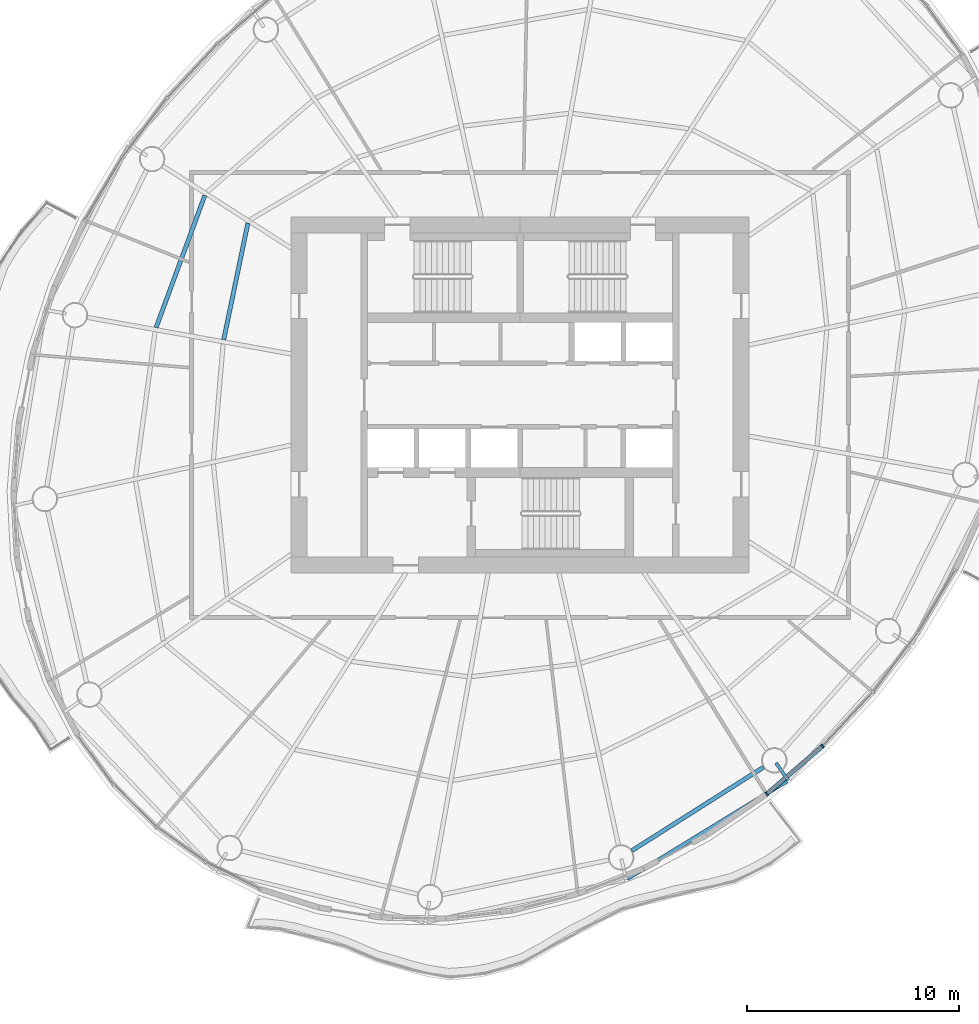
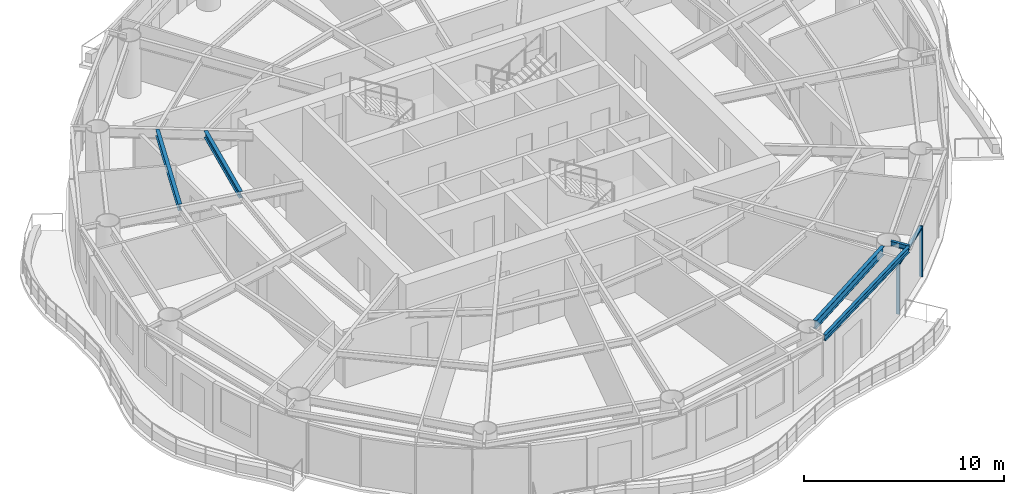
# One storey, part 3 of 14: 5 beams, 3 members, 2 elements without a shape of their own.
"""IFC4 building model written with IfcOpenShell, lengths in metres."""

import ifcopenshell
import ifcopenshell.guid

model = None  # the IFC model being written
_history = None  # IfcOwnerHistory: only IFC2X3 demands one
_inside = {}  # id of a spatial element -> (the spatial element, [elements in it])
_under = {}  # id of a project, library or spatial element -> (it, [spatial elements below it])
_declared = {}  # id of a project -> (the project, [libraries it declares])
_typed = {}  # id of a type object -> (the type object, [elements of that type])
_made_of = {}  # id of a material, layer set ... -> (it, [elements and type objects made of it])


def new_model(schema):
    """Start an empty IFC model of exactly this schema.

    Asked for "IFC4X3", IfcOpenShell would pick the latest addendum, in which some entities
    have other attributes; the version numbers below select the first issue.
    IFC2X3 requires an IfcOwnerHistory on every rooted entity: one is made here for all.
    """
    global model, _history
    if schema == "IFC4X3":
        model = ifcopenshell.file(schema_version=(4, 3, 0, 0))
    else:
        model = ifcopenshell.file(schema=schema)
    _inside.clear()
    _under.clear()
    _declared.clear()
    _typed.clear()
    _made_of.clear()
    _history = None
    if model.schema == "IFC2X3":
        org = make("IfcOrganization", Name="unknown")
        user = make(
            "IfcPersonAndOrganization",
            ThePerson=make("IfcPerson", FamilyName="unknown"),
            TheOrganization=org,
        )
        app = make(
            "IfcApplication",
            ApplicationDeveloper=org,
            Version="unknown",
            ApplicationFullName="unknown",
            ApplicationIdentifier="unknown",
        )
        _history = make(
            "IfcOwnerHistory",
            OwningUser=user,
            OwningApplication=app,
            ChangeAction="ADDED",
            CreationDate=0,
        )
    return model


def make(cls, **values):
    """One entity of the class cls with the attributes given. An attribute that is None is left unset."""
    return model.create_entity(
        cls, **{name: value for name, value in values.items() if value is not None}
    )


def rooted(cls, **values):
    """An entity with a GlobalId (a new one), such as an element, a storey or a relation."""
    return make(cls, GlobalId=ifcopenshell.guid.new(), OwnerHistory=_history, **values)


def si_unit(unit_type, name, prefix=None):
    """IfcSIUnit, for example si_unit("LENGTHUNIT", "METRE", prefix="MILLI")."""
    return make("IfcSIUnit", UnitType=unit_type, Prefix=prefix, Name=name)


def assignment(units):
    """IfcUnitAssignment: the units of a project."""
    return None if units is None else make("IfcUnitAssignment", Units=units)


def point(xyz):
    """IfcCartesianPoint."""
    return None if xyz is None else make("IfcCartesianPoint", Coordinates=xyz)


def direction(xyz):
    """IfcDirection."""
    return None if xyz is None else make("IfcDirection", DirectionRatios=xyz)


def frame(location, z_axis=None, x_axis=None):
    """IfcAxis2Placement3D, a coordinate frame: its origin and axes. An axis left out is left unset."""
    return make(
        "IfcAxis2Placement3D",
        Location=point(location),
        Axis=direction(z_axis),
        RefDirection=direction(x_axis),
    )


def frame_2d(location, x_axis=None):
    """IfcAxis2Placement2D, a coordinate frame in the plane: its origin and x axis."""
    return make(
        "IfcAxis2Placement2D", Location=point(location), RefDirection=direction(x_axis)
    )


def origin():
    """The frame at (0, 0, 0) with its axes left unset."""
    return frame((0.0, 0.0, 0.0))


def origin_2d():
    """The frame at (0, 0) in the plane with its x axis left unset."""
    return frame_2d((0.0, 0.0))


def place(relative_to, where):
    """IfcLocalPlacement: puts the frame where relative to a parent placement (None: the world)."""
    return make(
        "IfcLocalPlacement", PlacementRelTo=relative_to, RelativePlacement=where
    )


def context(
    kind, dimensions, precision=None, world=None, true_north=None, identifier=None
):
    """IfcGeometricRepresentationContext, for example the 3D "Model" context."""
    return make(
        "IfcGeometricRepresentationContext",
        ContextIdentifier=identifier,
        ContextType=kind,
        CoordinateSpaceDimension=dimensions,
        Precision=precision,
        WorldCoordinateSystem=world,
        TrueNorth=true_north,
    )


def subcontext(parent, identifier, kind, view, scale=None):
    """IfcGeometricRepresentationSubContext, for example "Body" below "Model"."""
    return make(
        "IfcGeometricRepresentationSubContext",
        ContextIdentifier=identifier,
        ContextType=kind,
        ParentContext=parent,
        TargetScale=scale,
        TargetView=view,
    )


def project(units=None, contexts=None):
    """IfcProject with its units and contexts."""
    return rooted(
        "IfcProject",
        Name="project",
        RepresentationContexts=contexts,
        UnitsInContext=assignment(units),
    )


def spatial(cls, under=None, at=None, **own):
    """A site, building, storey or space (cls), placed at a placement, below another one or the project."""
    s = rooted(cls, ObjectPlacement=at, **own)
    if under is not None:
        _under.setdefault(under.id(), (under, []))[1].append(s)
    return s


def profile(cls, at=None, kind="AREA", **sizes):
    """A parametric profile (cls). Its sizes go by their IFC names, for example OverallWidth=200.0."""
    return make(cls, ProfileType=kind, Position=at, **sizes)


def rectangle(**sizes):
    """IfcRectangleProfileDef."""
    return profile("IfcRectangleProfileDef", **sizes)


def i_section(**sizes):
    """IfcIShapeProfileDef."""
    return profile("IfcIShapeProfileDef", **sizes)


def extrude(swept, where, along, depth):
    """IfcExtrudedAreaSolid: the profile swept, set in the frame where, extruded along a direction by depth."""
    return make(
        "IfcExtrudedAreaSolid",
        SweptArea=swept,
        Position=where,
        ExtrudedDirection=direction(along),
        Depth=depth,
    )


def shape(context_of_items, identifier, shape_type, items):
    """IfcShapeRepresentation: the items that make up one representation, for example the "Body"."""
    return make(
        "IfcShapeRepresentation",
        ContextOfItems=context_of_items,
        RepresentationIdentifier=identifier,
        RepresentationType=shape_type,
        Items=items,
    )


def material(Name=None, Category=None):
    """IfcMaterial."""
    return make("IfcMaterial", Name=Name, Category=Category)


def material_profile(
    of_material, cross_section, Name=None, Category=None, Priority=None
):
    """IfcMaterialProfile: a cross section and its material."""
    return make(
        "IfcMaterialProfile",
        Name=Name,
        Material=of_material,
        Profile=cross_section,
        Priority=Priority,
        Category=Category,
    )


def profile_set(profiles, Name=None, composite=None):
    """IfcMaterialProfileSet."""
    return make(
        "IfcMaterialProfileSet",
        Name=Name,
        MaterialProfiles=profiles,
        CompositeProfile=composite,
    )


def made_of(thing, what):
    """Note that an element or type object is made of a material, layer set ...; save() writes the relation."""
    if what is not None:
        _made_of.setdefault(what.id(), (what, []))[1].append(thing)
    return thing


def type_object(cls, material=None, **own):
    """A type object (cls), such as IfcWallType, which elements share."""
    return made_of(rooted(cls, **own), material)


def element(
    cls,
    number,
    at=None,
    inside=None,
    cuts=None,
    type_object=None,
    material=None,
    context=None,
    identifier="Body",
    shape_type=None,
    held_by="IfcProductDefinitionShape",
    body=None,
    shapes=None,
    **own,
):
    """One element of the class cls, such as IfcWall. Its Tag is "e" and its number.

    at: its placement. inside: the storey or other place that contains it. cuts: it is an
    opening in that element (IfcRelVoidsElement). A single representation is given by context,
    identifier, shape_type and body (its items); several are given by shapes. held_by: the class
    of the entity that holds the representations. save() writes the other relations.
    """
    e = rooted(cls, Tag="e%d" % number, ObjectPlacement=at, **own)
    if body is not None:
        shapes = [shape(context, identifier, shape_type, body)]
    if shapes is not None:
        e.Representation = make(held_by, Representations=shapes)
    if inside is not None:
        _inside.setdefault(inside.id(), (inside, []))[1].append(e)
    if cuts is not None:
        rooted(
            "IfcRelVoidsElement", RelatingBuildingElement=cuts, RelatedOpeningElement=e
        )
    if type_object is not None:
        _typed.setdefault(type_object.id(), (type_object, []))[1].append(e)
    return made_of(e, material)


def aggregate(whole, parts):
    """IfcRelAggregates: a whole, such as a stair, and the parts it consists of."""
    return rooted("IfcRelAggregates", RelatingObject=whole, RelatedObjects=parts)


def save(model, path):
    """Write the relations noted so far, then the file.

    IfcRelAggregates (storeys below a building ...), IfcRelContainedInSpatialStructure (elements
    in a storey), IfcRelDefinesByType, IfcRelAssociatesMaterial and IfcRelDeclares: one each for
    every whole, place, type object, material and project.
    """
    for whole, parts in _under.values():
        aggregate(whole, parts)
    for where, things in _inside.values():
        rooted(
            "IfcRelContainedInSpatialStructure",
            RelatedElements=things,
            RelatingStructure=where,
        )
    for kind, things in _typed.values():
        rooted("IfcRelDefinesByType", RelatedObjects=things, RelatingType=kind)
    for what, things in _made_of.values():
        rooted("IfcRelAssociatesMaterial", RelatedObjects=things, RelatingMaterial=what)
    for by, libraries in _declared.values():
        rooted("IfcRelDeclares", RelatingContext=by, RelatedDefinitions=libraries)
    model.write(path)


model = new_model("IFC4")

# Units and contexts
model_context = context("Model", 3, precision=1e-05, world=origin(), true_north=direction((0.0, 1.0)))
body_context = subcontext(model_context, "Body", "Model", "MODEL_VIEW")
ifc_project = project(units=[si_unit("LENGTHUNIT", "METRE"), si_unit("AREAUNIT", "SQUARE_METRE"), si_unit("VOLUMEUNIT", "CUBIC_METRE"), si_unit("PLANEANGLEUNIT", "RADIAN"), si_unit("MASSUNIT", "GRAM", prefix="KILO")], contexts=[model_context])

# Site, building, storey
site_placement = place(None, origin())
site = spatial("IfcSite", under=ifc_project, at=site_placement, CompositionType="ELEMENT")
building_placement = place(site_placement, origin())
building = spatial("IfcBuilding", under=site, at=building_placement, Name="Vermilion Reach Broadcast Tower", CompositionType="ELEMENT")
storey_placement = place(building_placement, frame((0.0, 0.0, 231.699951171875)))
storey = spatial("IfcBuildingStorey", under=building, at=storey_placement, Name="L57", CompositionType="ELEMENT", Elevation=231.699951171875)

# Beams
ifc_material_1 = material(Name="Steel S355J2", Category="steel")
ifc_material_profile_1 = material_profile(ifc_material_1, i_section(OverallWidth=0.175048828125, OverallDepth=0.35009765625, WebThickness=0.007080078125, FlangeThickness=0.010986328125, at=origin_2d()), Name="S355J2 HN 350x175x7x11")
ifc_profile_set_1 = profile_set([ifc_material_profile_1], Name="Steel S355J2")
beam_type_1 = type_object("IfcBeamType", Name="EB4 HN 350x175x7x11", PredefinedType="BEAM", material=ifc_profile_set_1)
beam_1_placement = place(storey_placement, frame((-0.934326171875, -22.82373046875, 3.275146484375), z_axis=(0.852875711594, 0.522113991934, 0.0), x_axis=(-0.522113991934, 0.852875711594, 0.0)))
element("IfcBeam", 1, at=beam_1_placement, inside=storey, type_object=beam_type_1, Name="Edge beam EB4-11", PredefinedType="BEAM", context=body_context, shape_type="SweptSolid", body=[
    extrude(i_section(OverallWidth=0.175048828125, OverallDepth=0.35009765625, WebThickness=0.007080078125, FlangeThickness=0.010986328125, at=origin_2d()), origin(), (0.0, 0.0, 1.0), 8.817626953125),
])
ifc_material_2 = material(Name="Steel S355J2", Category="steel")
ifc_material_profile_2 = material_profile(ifc_material_2, i_section(OverallWidth=0.14990234375, OverallDepth=0.300048828125, WebThickness=0.006591796875, FlangeThickness=0.009033203125, at=origin_2d()), Name="S355J2 HN 300x150x6.5x9")
ifc_profile_set_2 = profile_set([ifc_material_profile_2], Name="Steel S355J2")
beam_type_2 = type_object("IfcBeamType", Name="GS4 HN 300x150x6.5x9", PredefinedType="BEAM", material=ifc_profile_set_2)
beam_2_placement = place(storey_placement, frame((6.078857421875, -17.35986328125, 3.300048828125), z_axis=(0.571264751294, -0.820765852073, 0.0), x_axis=(0.820765852073, 0.571264751294, 0.0)))
element("IfcBeam", 2, at=beam_2_placement, inside=storey, type_object=beam_type_2, Name="Cantilever stub GS4-12", PredefinedType="BEAM", context=body_context, shape_type="SweptSolid", body=[
    extrude(i_section(OverallWidth=0.14990234375, OverallDepth=0.300048828125, WebThickness=0.006591796875, FlangeThickness=0.009033203125, at=origin_2d()), origin(), (0.0, 0.0, 1.0), 1.0),
])
ifc_material_3 = material(Name="Steel S355J2", Category="steel")
ifc_material_profile_3 = material_profile(ifc_material_3, i_section(OverallWidth=0.199951171875, OverallDepth=0.5, WebThickness=0.010009765625, FlangeThickness=0.01611328125, at=origin_2d()), Name="S355J2 HN 500x200x10x16")
ifc_profile_set_3 = profile_set([ifc_material_profile_3], Name="Steel S355J2")
beam_type_3 = type_object("IfcBeamType", Name="RB4 HN 500x200x10x16", PredefinedType="BEAM", material=ifc_profile_set_3)
beam_3_placement = place(storey_placement, frame((-0.72412109375, -21.497314453125, 3.199951171875), z_axis=(0.84446426774, 0.535611893549, 0.0), x_axis=(-0.535611893549, 0.84446426774, 0.0)))
element("IfcBeam", 3, at=beam_3_placement, inside=storey, type_object=beam_type_3, Name="Ring beam RB4-11", PredefinedType="BEAM", context=body_context, shape_type="SweptSolid", body=[
    extrude(i_section(OverallWidth=0.199951171875, OverallDepth=0.5, WebThickness=0.010009765625, FlangeThickness=0.01611328125, at=origin_2d()), origin(), (0.0, 0.0, 1.0), 7.3544921875),
])
ifc_material_4 = material(Name="Steel S355J2", Category="steel")
ifc_material_profile_4 = material_profile(ifc_material_4, i_section(OverallWidth=0.199951171875, OverallDepth=0.39990234375, WebThickness=0.008056640625, FlangeThickness=0.012939453125, at=origin_2d()), Name="S355J2 HN 400x200x8x13")
ifc_profile_set_4 = profile_set([ifc_material_profile_4], Name="Steel S355J2")
beam_type_4 = type_object("IfcBeamType", Name="SB4 HN 400x200x8x13", PredefinedType="BEAM", material=ifc_profile_set_4)
beam_4_placement = place(storey_placement, frame((-18.841064453125, 8.115478515625, 3.25), z_axis=(-0.20320860258, -0.979135467562, 0.0), x_axis=(0.979135467562, -0.20320860258, 0.0)))
element("IfcBeam", 4, at=beam_4_placement, inside=storey, type_object=beam_type_4, Name="Secondary beam SB4-05-1", PredefinedType="BEAM", context=body_context, shape_type="SweptSolid", body=[
    extrude(i_section(OverallWidth=0.199951171875, OverallDepth=0.39990234375, WebThickness=0.008056640625, FlangeThickness=0.012939453125, at=origin_2d()), origin(), (0.0, 0.0, 1.0), 5.622802734375),
])
beam_5_placement = place(storey_placement, frame((-20.8740234375, 9.419189453125, 3.25), z_axis=(-0.345833008621, -0.938296078084, 0.0), x_axis=(0.938296078084, -0.345833008621, 0.0)))
element("IfcBeam", 5, at=beam_5_placement, inside=storey, type_object=beam_type_4, Name="Secondary beam SB4-05-2", PredefinedType="BEAM", context=body_context, shape_type="SweptSolid", body=[
    extrude(i_section(OverallWidth=0.199951171875, OverallDepth=0.39990234375, WebThickness=0.008056640625, FlangeThickness=0.012939453125, at=origin_2d()), origin(), (0.0, 0.0, 1.0), 6.647216796875),
])

# Curtain wall, member
ifc_material_5 = material(Name="Low-e laminated clear glass in aluminium frame", Category="aluminium")
curtain_wall_type = type_object("IfcCurtainWallType", Name="Slot curtain wall", PredefinedType="NOTDEFINED", material=ifc_material_5)
placement = place(storey_placement, origin())
curtain_wall_1 = element("IfcCurtainWall", 6, at=placement, inside=storey, type_object=curtain_wall_type, Name="Slot curtain wall L57 34", PredefinedType="NOTDEFINED")
ifc_material_6 = material(Name="Anodised aluminium", Category="aluminium")
ifc_material_profile_5 = material_profile(ifc_material_6, rectangle(XDim=0.199951171875, YDim=0.080078125, at=origin_2d()), Name="Slot mullion 80 x 200")
ifc_profile_set_5 = profile_set([ifc_material_profile_5], Name="Anodised aluminium")
member_type_1 = type_object("IfcMemberType", Name="Slot mullion 80 x 200", PredefinedType="MULLION", material=ifc_profile_set_5)
member_1_placement = place(storey_placement, frame((5.640380859375, -18.8212890625, 0.0), z_axis=(0.0, 0.0, 1.0), x_axis=(-0.609024657962, 0.793151288213, 0.0)))
member_1 = element("IfcMember", 7, at=member_1_placement, type_object=member_type_1, Name="Slot mullion L57 34", PredefinedType="MULLION", context=body_context, shape_type="SweptSolid", body=[
    extrude(rectangle(XDim=0.199951171875, YDim=0.080078125, at=origin_2d()), origin(), (0.0, 0.0, 1.0), 3.10009765625),
])

curtain_wall_2 = element("IfcCurtainWall", 8, at=placement, inside=storey, type_object=curtain_wall_type, Name="Slot curtain wall L57 35", PredefinedType="NOTDEFINED")
member_2_placement = place(storey_placement, frame((8.271240234375, -16.561279296875, 0.0), z_axis=(0.0, 0.0, 1.0), x_axis=(-0.691564371376, 0.722314834572, 0.0)))
member_2 = element("IfcMember", 9, at=member_2_placement, type_object=member_type_1, Name="Slot mullion L57 35", PredefinedType="MULLION", context=body_context, shape_type="SweptSolid", body=[
    extrude(rectangle(XDim=0.199951171875, YDim=0.080078125, at=origin_2d()), origin(), (0.0, 0.0, 1.0), 3.10009765625),
])
aggregate(curtain_wall_2, [member_2])

# Member
ifc_material_7 = material(Name="Anodised aluminium", Category="aluminium")
ifc_material_profile_6 = material_profile(ifc_material_7, rectangle(XDim=0.199951171875, YDim=0.10009765625, at=origin_2d()), Name="Slot transom 200 x 100")
ifc_profile_set_6 = profile_set([ifc_material_profile_6], Name="Anodised aluminium")
member_type_2 = type_object("IfcMemberType", Name="Slot transom 200 x 100", PredefinedType="USERDEFINED", material=ifc_profile_set_6)
member_3_placement = place(storey_placement, frame((5.670654296875, -18.795166015625, 3.050048828125), z_axis=(0.758549143227, 0.65161583568, 0.0), x_axis=(-0.65161583568, 0.758549143227, 0.0)))
member_3 = element("IfcMember", 10, at=member_3_placement, type_object=member_type_2, Name="Slot transom L57 34.1", ObjectType="TRANSOM", PredefinedType="USERDEFINED", context=body_context, shape_type="SweptSolid", body=[
    extrude(rectangle(XDim=0.199951171875, YDim=0.10009765625, at=origin_2d()), origin(), (0.0, 0.0, 1.0), 3.38818359375),
])

aggregate(curtain_wall_1, [member_1, member_3])

save(model, "model.ifc")
